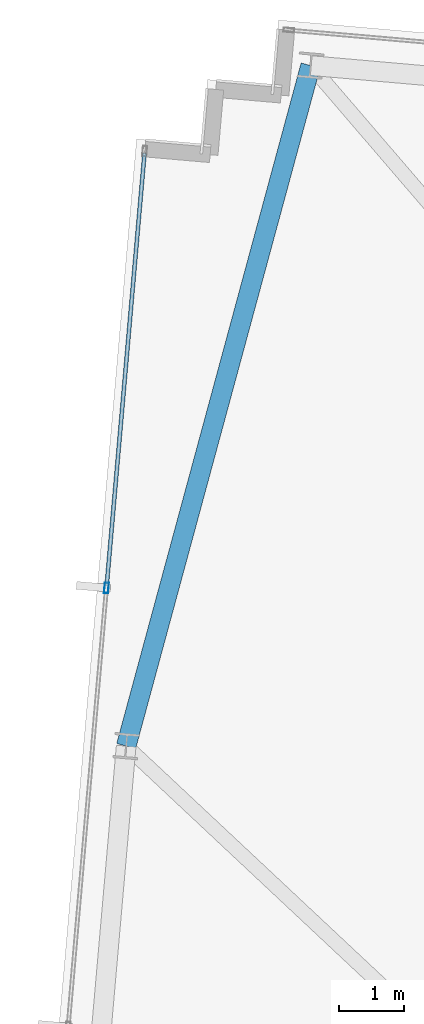
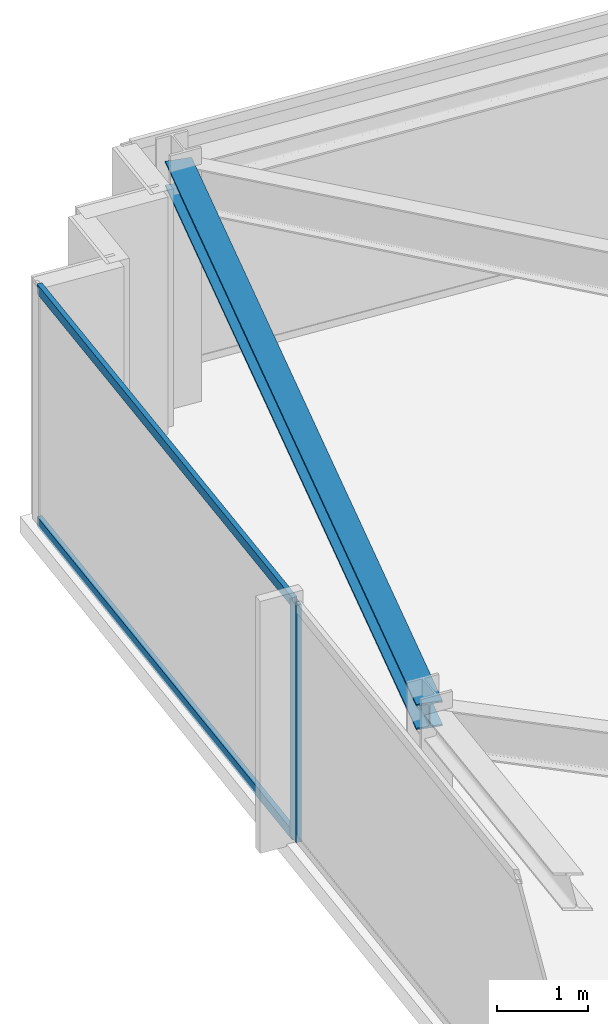
# One storey, part 11 of 33: 3 members, 1 beam, 1 element without a shape of its own.
"""IFC4 building model written with IfcOpenShell, lengths in metres."""

from ifc_helpers import new_model, si_unit, direction, frame, origin, origin_2d, place, context, subcontext, project, spatial, hollow_rectangle, i_section, extrude, material, material_profile, profile_set, type_object, element, aggregate, save


model = new_model("IFC4")

# Units and contexts
model_context = context("Model", 3, precision=1e-05, world=origin(), true_north=direction((0.0, 1.0)))
body_context = subcontext(model_context, "Body", "Model", "MODEL_VIEW")
ifc_project = project(units=[si_unit("LENGTHUNIT", "METRE"), si_unit("AREAUNIT", "SQUARE_METRE"), si_unit("VOLUMEUNIT", "CUBIC_METRE"), si_unit("PLANEANGLEUNIT", "RADIAN"), si_unit("MASSUNIT", "GRAM", prefix="KILO")], contexts=[model_context])

# Site, building, storey
site_placement = place(None, origin())
site = spatial("IfcSite", under=ifc_project, at=site_placement, CompositionType="ELEMENT")
building_placement = place(site_placement, origin())
building = spatial("IfcBuilding", under=site, at=building_placement, Name="Yelkora Congress Tower", CompositionType="ELEMENT")
storey_placement = place(building_placement, frame((0.0, 0.0, 282.89990234375)))
storey = spatial("IfcBuildingStorey", under=building, at=storey_placement, Name="L79", CompositionType="ELEMENT", Elevation=282.89990234375)

# Beam
ifc_material_1 = material(Name="Steel S355J2", Category="steel")
ifc_material_profile_1 = material_profile(ifc_material_1, i_section(OverallWidth=0.300048828125, OverallDepth=0.340087890625, WebThickness=0.011962890625, FlangeThickness=0.021484375, FilletRadius=0.027099609375, at=origin_2d()), Name="HEB 340")
ifc_profile_set_1 = profile_set([ifc_material_profile_1], Name="Steel S355J2")
beam_type = type_object("IfcBeamType", Name="BM-SPAN-HEB340", PredefinedType="SPANDREL", material=ifc_profile_set_1)
beam_placement = place(storey_placement, frame((10.60400390625, 49.884033203125, 3.010009765625), z_axis=(-0.261553643334, -0.965188940912, 0.0), x_axis=(0.965188940912, -0.261553643334, 0.0)))
element("IfcBeam", 1, at=beam_placement, inside=storey, type_object=beam_type, Name="L79 Perimeter Beam 13", PredefinedType="SPANDREL", context=body_context, shape_type="SweptSolid", body=[
    extrude(i_section(OverallWidth=0.300048828125, OverallDepth=0.340087890625, WebThickness=0.011962890625, FlangeThickness=0.021484375, FilletRadius=0.027099609375, at=origin_2d()), origin(), (0.0, 0.0, 1.0), 10.768798828125),
])

# Curtain wall, members
ifc_material_2 = material(Name="Anodised aluminium and insulated glass", Category="aluminium")
curtain_wall_type = type_object("IfcCurtainWallType", Name="CW-SYS-B5", PredefinedType="NOTDEFINED", material=ifc_material_2)
curtain_wall_placement = place(storey_placement, origin())
curtain_wall = element("IfcCurtainWall", 2, at=curtain_wall_placement, inside=storey, type_object=curtain_wall_type, Name="L79 Unitised Curtain Wall 5", PredefinedType="NOTDEFINED")
ifc_material_3 = material(Name="Anodised aluminium 6063-T6", Category="aluminium")
ifc_material_profile_2 = material_profile(ifc_material_3, hollow_rectangle(XDim=0.06494140625, YDim=0.159912109375, WallThickness=0.00390625, at=origin_2d()), Name="ALU 65x160x4")
ifc_profile_set_2 = profile_set([ifc_material_profile_2], Name="Anodised aluminium 6063-T6")
member_type_1 = type_object("IfcMemberType", Name="MEM-ML-B5", PredefinedType="MULLION", material=ifc_profile_set_2)
member_1_placement = place(storey_placement, frame((7.48681640625, 41.9052734375, 0.0), z_axis=(0.0, 0.0, 1.0), x_axis=(-0.996194785929, 0.08715473876, 0.0)))
member_1 = element("IfcMember", 3, at=member_1_placement, type_object=member_type_1, Name="CW-B5 mullion 4", PredefinedType="MULLION", context=body_context, shape_type="SweptSolid", body=[
    extrude(hollow_rectangle(XDim=0.06494140625, YDim=0.159912109375, WallThickness=0.00390625, at=origin_2d()), origin(), (0.0, 0.0, 1.0), 3.18017578125),
])
ifc_material_profile_3 = material_profile(ifc_material_3, hollow_rectangle(XDim=0.06005859375, YDim=0.1298828125, WallThickness=0.00390625, at=origin_2d()), Name="ALU 60x130x4")
ifc_profile_set_3 = profile_set([ifc_material_profile_3], Name="Anodised aluminium 6063-T6")
member_type_2 = type_object("IfcMemberType", Name="MEM-TR-B5", PredefinedType="USERDEFINED", material=ifc_profile_set_3)
member_2_placement = place(storey_placement, frame((7.489501953125, 41.937744140625, 0.030029296875), z_axis=(0.08716649365, 0.996193757451, 0.0), x_axis=(-0.996193757451, 0.08716649365, 0.0)))
member_2 = element("IfcMember", 4, at=member_2_placement, type_object=member_type_2, Name="CW-B5 transom 4.1", ObjectType="TRANSOM", PredefinedType="USERDEFINED", context=body_context, shape_type="SweptSolid", body=[
    extrude(hollow_rectangle(XDim=0.06005859375, YDim=0.1298828125, WallThickness=0.00390625, at=origin_2d()), origin(), (0.0, 0.0, 1.0), 6.63232421875),
])
member_3_placement = place(storey_placement, frame((7.489501953125, 41.937744140625, 3.150146484375), z_axis=(0.08716649365, 0.996193757451, 0.0), x_axis=(-0.996193757451, 0.08716649365, 0.0)))
member_3 = element("IfcMember", 5, at=member_3_placement, type_object=member_type_2, Name="CW-B5 transom 4.2", ObjectType="TRANSOM", PredefinedType="USERDEFINED", context=body_context, shape_type="SweptSolid", body=[
    extrude(hollow_rectangle(XDim=0.06005859375, YDim=0.1298828125, WallThickness=0.00390625, at=origin_2d()), origin(), (0.0, 0.0, 1.0), 6.63232421875),
])
aggregate(curtain_wall, [member_1, member_2, member_3])

save(model, "model.ifc")
